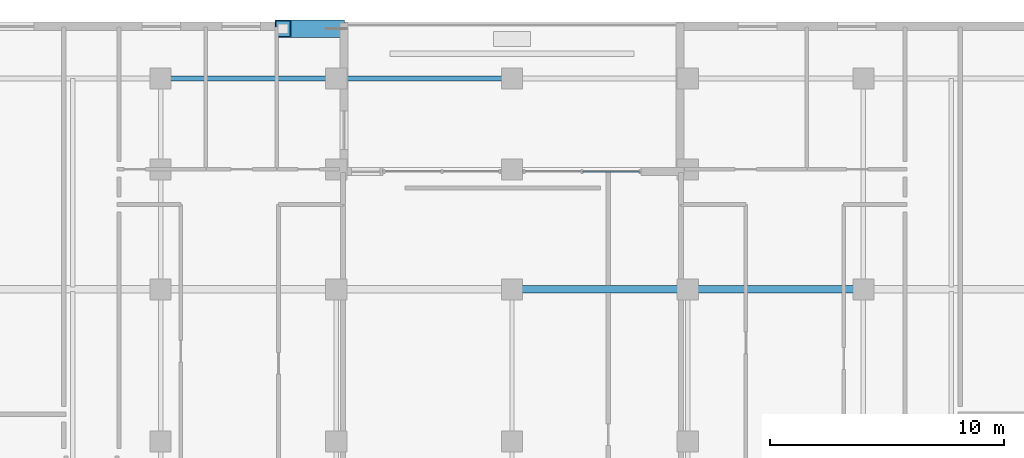
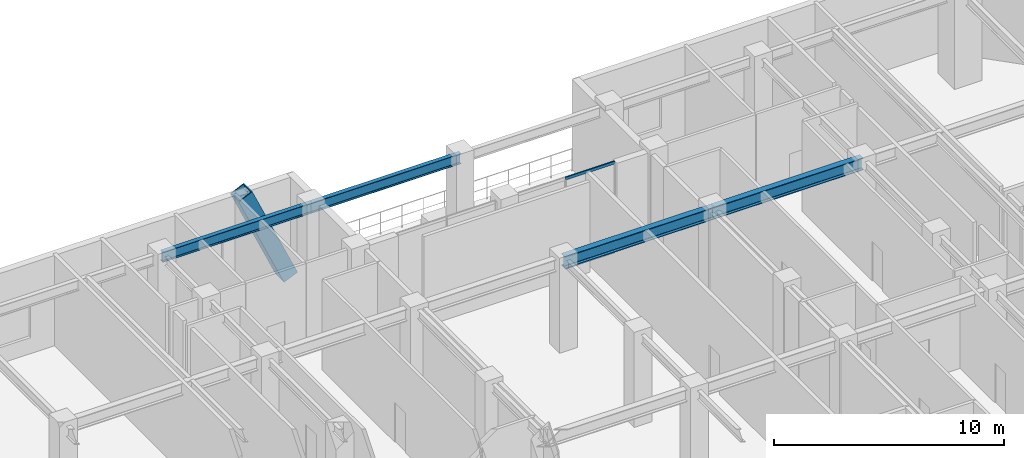
# One storey, part 4 of 12: 4 beams, 3 members, 1 element without a shape of its own.
"""IFC4 building model written with IfcOpenShell, lengths in metres."""

from ifc_helpers import new_model, si_unit, direction, frame, origin, origin_2d, place, context, subcontext, project, spatial, hollow_rectangle, i_section, extrude, material, material_profile, profile_set, type_object, element, aggregate, save


model = new_model("IFC4")

# Units and contexts
model_context = context("Model", 3, precision=1e-05, world=origin(), true_north=direction((0.0, 1.0)))
body_context = subcontext(model_context, "Body", "Model", "MODEL_VIEW")
ifc_project = project(units=[si_unit("LENGTHUNIT", "METRE"), si_unit("AREAUNIT", "SQUARE_METRE"), si_unit("VOLUMEUNIT", "CUBIC_METRE"), si_unit("PLANEANGLEUNIT", "RADIAN"), si_unit("MASSUNIT", "GRAM", prefix="KILO")], contexts=[model_context])

# Site, building, storey
site_placement = place(None, origin())
site = spatial("IfcSite", under=ifc_project, at=site_placement, CompositionType="ELEMENT")
building_placement = place(site_placement, origin())
building = spatial("IfcBuilding", under=site, at=building_placement, Name="Ventersveld Concourse Tower", CompositionType="ELEMENT")
storey_placement = place(building_placement, frame((0.0, 0.0, 76.0)))
storey = spatial("IfcBuildingStorey", under=building, at=storey_placement, Name="L18", CompositionType="ELEMENT", Elevation=76.0)

# Curtain wall, members
ifc_material_1 = material(Name="Anodised aluminium EN AW-6063-T6", Category="aluminium")
curtain_wall_type = type_object("IfcCurtainWallType", Name="CW-SG-4", PredefinedType="NOTDEFINED", material=ifc_material_1)
curtain_wall_placement = place(storey_placement, origin())
curtain_wall = element("IfcCurtainWall", 1, at=curtain_wall_placement, inside=storey, type_object=curtain_wall_type, Name="L18 L18 Sky Garden Recessed Curtain Wall", PredefinedType="NOTDEFINED")
ifc_material_profile_1 = material_profile(ifc_material_1, hollow_rectangle(XDim=0.06005859375, YDim=0.14990234375, WallThickness=0.00390625, at=origin_2d()), Name="ALU 150x60x4")
ifc_profile_set_1 = profile_set([ifc_material_profile_1], Name="Anodised aluminium EN AW-6063-T6")
member_type_1 = type_object("IfcMemberType", Name="CWT-150x60", PredefinedType="USERDEFINED", material=ifc_profile_set_1)
member_1_placement = place(storey_placement, frame((31.75, 40.02490234375, 0.030029296875), z_axis=(1.0, 0.0, 0.0), x_axis=(0.0, 1.0, 0.0)))
member_1 = element("IfcMember", 2, at=member_1_placement, type_object=member_type_1, Name="CW-L18-SG-S2 Transom 1-02", ObjectType="TRANSOM", PredefinedType="USERDEFINED", context=body_context, shape_type="SweptSolid", body=[
    extrude(hollow_rectangle(XDim=0.06005859375, YDim=0.14990234375, WallThickness=0.00390625, at=origin_2d()), origin(), (0.0, 0.0, 1.0), 2.47998046875),
])
member_2_placement = place(storey_placement, frame((31.75, 40.02490234375, 4.77001953125), z_axis=(1.0, 0.0, 0.0), x_axis=(0.0, 1.0, 0.0)))
member_2 = element("IfcMember", 3, at=member_2_placement, type_object=member_type_1, Name="CW-L18-SG-S2 Transom 2-02", ObjectType="TRANSOM", PredefinedType="USERDEFINED", context=body_context, shape_type="SweptSolid", body=[
    extrude(hollow_rectangle(XDim=0.06005859375, YDim=0.14990234375, WallThickness=0.00390625, at=origin_2d()), origin(), (0.0, 0.0, 1.0), 2.47998046875),
])
aggregate(curtain_wall, [member_1, member_2])

# Beams
ifc_material_2 = material(Name="Structural steel S355J2", Category="steel")
ifc_material_profile_2 = material_profile(ifc_material_2, i_section(OverallWidth=0.311279296875, OverallDepth=0.6357421875, WebThickness=0.018310546875, FlangeThickness=0.031494140625, FilletRadius=0.0166015625, at=origin_2d()), Name="UB 610x305x238")
ifc_profile_set_2 = profile_set([ifc_material_profile_2], Name="Structural steel S355J2")
beam_type_1 = type_object("IfcBeamType", Name="GRD-UB610H", PredefinedType="USERDEFINED", material=ifc_profile_set_2)
for number, where, z_axis, x_axis, name in (
    (4, (28.75, 35.0, 4.482177734375), (1.0, 0.0, 0.0), (0.0, 1.0, 0.0), "L18 E-W Grid Girder Y=35.00 #4"),
    (5, (36.25, 35.0, 4.482177734375), (1.0, 0.0, 0.0), (0.0, 1.0, 0.0), "L18 E-W Grid Girder Y=35.00 #5"),
):
    element("IfcBeam", number, at=place(storey_placement, frame(where, z_axis=z_axis, x_axis=x_axis)), inside=storey, type_object=beam_type_1, Name=name, ObjectType="GIRDER", PredefinedType="USERDEFINED", context=body_context, shape_type="SweptSolid", body=[
        extrude(i_section(OverallWidth=0.311279296875, OverallDepth=0.6357421875, WebThickness=0.018310546875, FlangeThickness=0.031494140625, FilletRadius=0.0166015625, at=origin_2d()), origin(), (0.0, 0.0, 1.0), 7.5),
    ])

# Member
ifc_material_3 = material(Name="Structural steel S355ML", Category="steel")
ifc_material_profile_3 = material_profile(ifc_material_3, hollow_rectangle(XDim=0.75, YDim=0.75, WallThickness=0.044921875, at=origin_2d()), Name="BOX 750x750x45")
ifc_profile_set_3 = profile_set([ifc_material_profile_3], Name="Structural steel S355ML")
member_type_2 = type_object("IfcMemberType", Name="MB-750x750", PredefinedType="BRACE", material=ifc_profile_set_3)
member_3_placement = place(storey_placement, frame((21.25, 46.1201171875, -0.280029296875), z_axis=(-0.409686453859, 0.0, 0.912226402558), x_axis=(0.0, -1.0, 0.0)))
element("IfcMember", 6, at=member_3_placement, inside=storey, type_object=member_type_2, Name="L18 Exterior Mega-Brace N (Module M04)", PredefinedType="BRACE", context=body_context, shape_type="SweptSolid", body=[
    extrude(hollow_rectangle(XDim=0.75, YDim=0.75, WallThickness=0.044921875, at=origin_2d()), origin(), (0.0, 0.0, 1.0), 5.56884765625),
])

# Beams
ifc_material_profile_4 = material_profile(ifc_material_2, i_section(OverallWidth=0.2119140625, OverallDepth=0.54443359375, WebThickness=0.0126953125, FlangeThickness=0.021240234375, FilletRadius=0.0126953125, at=origin_2d()), Name="UB 533x210x122")
ifc_profile_set_4 = profile_set([ifc_material_profile_4], Name="Structural steel S355J2")
beam_type_2 = type_object("IfcBeamType", Name="SPD-UB533", PredefinedType="SPANDREL", material=ifc_profile_set_4)
for number, where, z_axis, x_axis, name in (
    (7, (13.75, 44.0, 4.527587890625), (1.0, 0.0, 0.0), (0.0, 1.0, 0.0), "L18 North Spandrel Girder Y=44.00 #2"),
    (8, (21.25, 44.0, 4.527587890625), (1.0, 0.0, 0.0), (0.0, 1.0, 0.0), "L18 North Spandrel Girder Y=44.00 #3"),
):
    element("IfcBeam", number, at=place(storey_placement, frame(where, z_axis=z_axis, x_axis=x_axis)), inside=storey, type_object=beam_type_2, Name=name, PredefinedType="SPANDREL", context=body_context, shape_type="SweptSolid", body=[
        extrude(i_section(OverallWidth=0.2119140625, OverallDepth=0.54443359375, WebThickness=0.0126953125, FlangeThickness=0.021240234375, FilletRadius=0.0126953125, at=origin_2d()), origin(), (0.0, 0.0, 1.0), 7.5),
    ])

save(model, "model.ifc")
